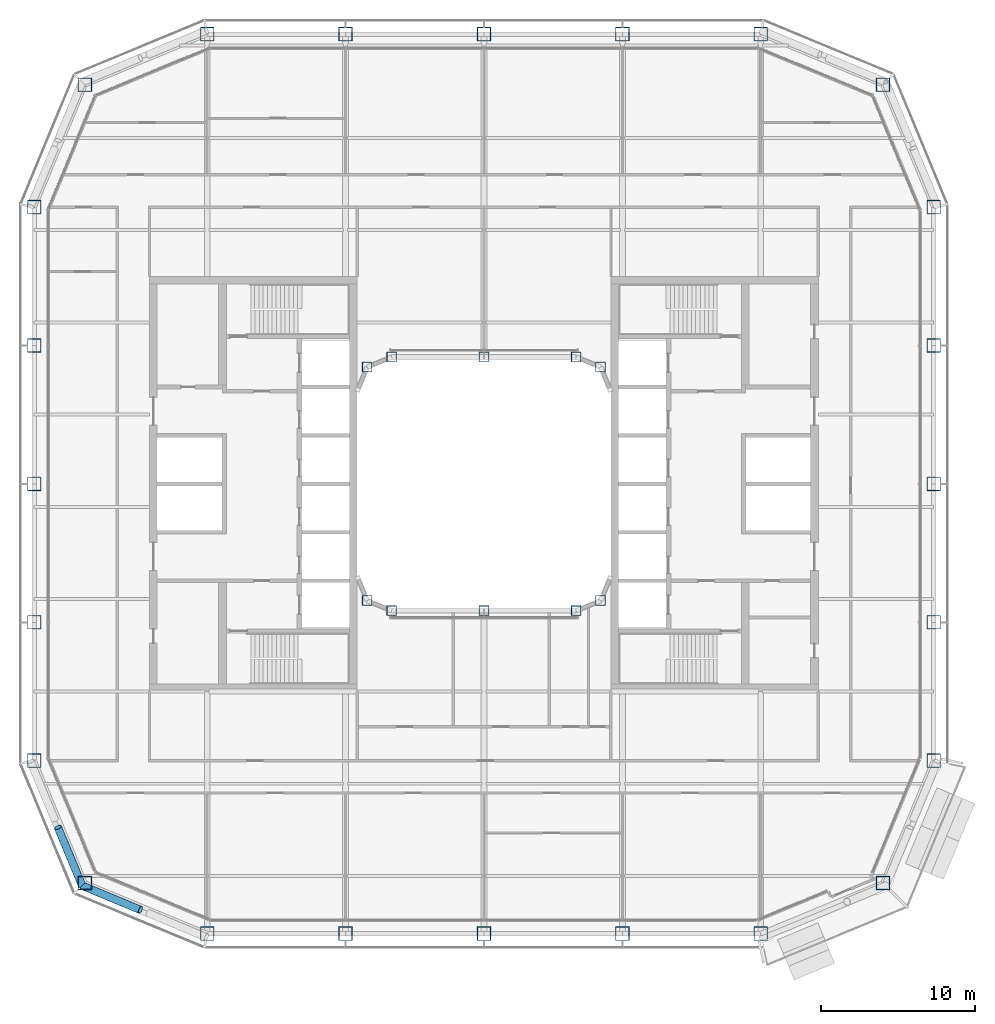
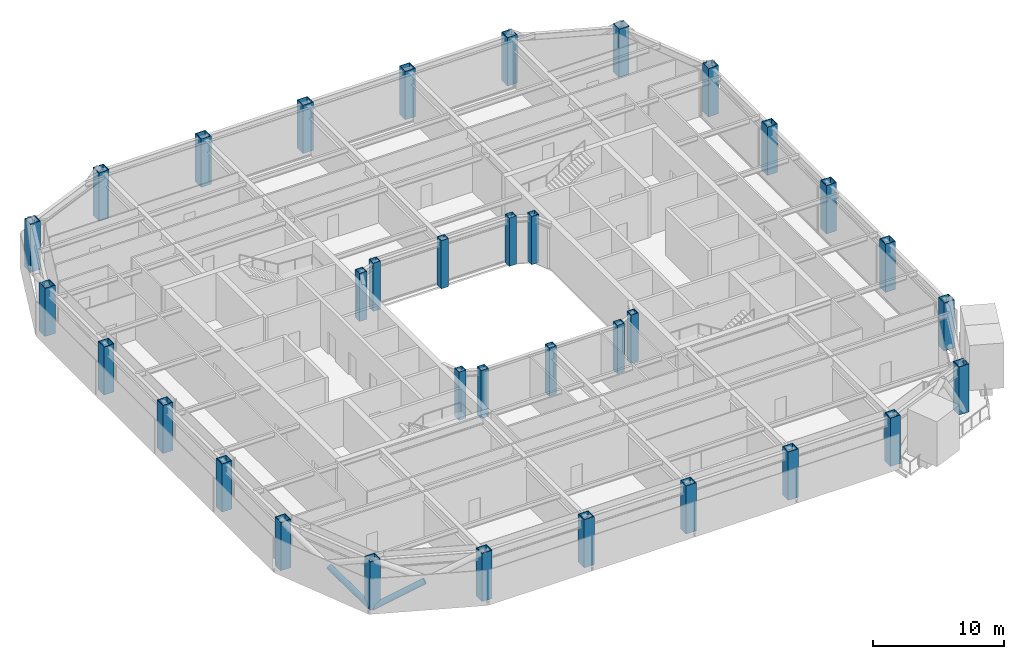
# One storey, part 1 of 23: 34 columns, 2 members.
"""IFC4 building model written with IfcOpenShell, lengths in metres."""

from ifc_helpers import new_model, si_unit, direction, frame, origin, origin_2d, place, context, subcontext, project, spatial, hollow_rectangle, hollow_circle, extrude, material, material_profile, profile_set, type_object, element, save


model = new_model("IFC4")

# Units and contexts
model_context = context("Model", 3, precision=1e-05, world=origin(), true_north=direction((0.0, 1.0)))
body_context = subcontext(model_context, "Body", "Model", "MODEL_VIEW")
ifc_project = project(units=[si_unit("LENGTHUNIT", "METRE"), si_unit("AREAUNIT", "SQUARE_METRE"), si_unit("VOLUMEUNIT", "CUBIC_METRE"), si_unit("PLANEANGLEUNIT", "RADIAN"), si_unit("MASSUNIT", "GRAM", prefix="KILO")], contexts=[model_context])

# Site, building, storey
site_placement = place(None, origin())
site = spatial("IfcSite", under=ifc_project, at=site_placement, CompositionType="ELEMENT")
building_placement = place(site_placement, origin())
building = spatial("IfcBuilding", under=site, at=building_placement, Name="Siwar Civic Tower", CompositionType="ELEMENT")
storey_placement = place(building_placement, frame((0.0, 0.0, 163.199951171875)))
storey = spatial("IfcBuildingStorey", under=building, at=storey_placement, Name="L35", CompositionType="ELEMENT", Elevation=163.199951171875)

# Columns
ifc_material_1 = material(Name="Steel S355", Category="steel")
ifc_material_profile_1 = material_profile(ifc_material_1, hollow_rectangle(XDim=0.89990234375, YDim=0.89990234375, WallThickness=0.050048828125, at=origin_2d()), Name="BOX900x900x50")
ifc_profile_set_1 = profile_set([ifc_material_profile_1], Name="Steel S355")
column_type_1 = type_object("IfcColumnType", Name="STR-COL-BOX900x900x50", PredefinedType="COLUMN", material=ifc_profile_set_1)
for number, where, z_axis, x_axis, name in (
    (1, (-18.0, -29.25, 0.0), (0.0, 0.0, 1.0), (1.0, 0.0, 0.0), "L35/col/S-0"),
    (2, (-9.0, -29.25, 0.0), (0.0, 0.0, 1.0), (1.0, 0.0, 0.0), "L35/col/S-1"),
    (3, (0.0, -29.25, 0.0), (0.0, 0.0, 1.0), (1.0, 0.0, 0.0), "L35/col/S-2"),
    (4, (9.0, -29.25, 0.0), (0.0, 0.0, 1.0), (1.0, 0.0, 0.0), "L35/col/S-3"),
    (5, (18.0, -29.25, 0.0), (0.0, 0.0, 1.0), (1.0, 0.0, 0.0), "L35/col/SE1-0"),
    (6, (25.954833984375, -25.954833984375, 0.0), (0.0, 0.0, 1.0), (1.0, 0.0, 0.0), "L35/col/SE2-0"),
    (7, (29.25, -18.0, 0.0), (0.0, 0.0, 1.0), (1.0, 0.0, 0.0), "L35/col/E-0"),
    (8, (29.25, -9.0, 0.0), (0.0, 0.0, 1.0), (1.0, 0.0, 0.0), "L35/col/E-1"),
    (9, (29.25, 0.0, 0.0), (0.0, 0.0, 1.0), (1.0, 0.0, 0.0), "L35/col/E-2"),
    (10, (29.25, 9.0, 0.0), (0.0, 0.0, 1.0), (1.0, 0.0, 0.0), "L35/col/E-3"),
    (11, (29.25, 18.0, 0.0), (0.0, 0.0, 1.0), (1.0, 0.0, 0.0), "L35/col/NE1-0"),
    (12, (25.954833984375, 25.954833984375, 0.0), (0.0, 0.0, 1.0), (1.0, 0.0, 0.0), "L35/col/NE2-0"),
    (13, (18.0, 29.25, 0.0), (0.0, 0.0, 1.0), (1.0, 0.0, 0.0), "L35/col/N-0"),
    (14, (9.0, 29.25, 0.0), (0.0, 0.0, 1.0), (1.0, 0.0, 0.0), "L35/col/N-1"),
    (15, (0.0, 29.25, 0.0), (0.0, 0.0, 1.0), (1.0, 0.0, 0.0), "L35/col/N-2"),
    (16, (-9.0, 29.25, 0.0), (0.0, 0.0, 1.0), (1.0, 0.0, 0.0), "L35/col/N-3"),
    (17, (-18.0, 29.25, 0.0), (0.0, 0.0, 1.0), (1.0, 0.0, 0.0), "L35/col/NW1-0"),
    (18, (-25.954833984375, 25.954833984375, 0.0), (0.0, 0.0, 1.0), (1.0, 0.0, 0.0), "L35/col/NW2-0"),
    (19, (-29.25, 18.0, 0.0), (0.0, 0.0, 1.0), (1.0, 0.0, 0.0), "L35/col/W-0"),
    (20, (-29.25, 9.0, 0.0), (0.0, 0.0, 1.0), (1.0, 0.0, 0.0), "L35/col/W-1"),
    (21, (-29.25, 0.0, 0.0), (0.0, 0.0, 1.0), (1.0, 0.0, 0.0), "L35/col/W-2"),
    (22, (-29.25, -9.0, 0.0), (0.0, 0.0, 1.0), (1.0, 0.0, 0.0), "L35/col/W-3"),
    (23, (-29.25, -18.0, 0.0), (0.0, 0.0, 1.0), (1.0, 0.0, 0.0), "L35/col/SW1-0"),
    (24, (-25.954833984375, -25.954833984375, 0.0), (0.0, 0.0, 1.0), (1.0, 0.0, 0.0), "L35/col/SW2-0"),
):
    element("IfcColumn", number, at=place(storey_placement, frame(where, z_axis=z_axis, x_axis=x_axis)), inside=storey, type_object=column_type_1, Name=name, PredefinedType="COLUMN", context=body_context, shape_type="SweptSolid", body=[
        extrude(hollow_rectangle(XDim=0.89990234375, YDim=0.89990234375, WallThickness=0.050048828125, at=origin_2d()), origin(), (0.0, 0.0, 1.0), 4.5),
    ])
ifc_material_2 = material(Name="Steel S355", Category="steel")
ifc_material_profile_2 = material_profile(ifc_material_2, hollow_rectangle(XDim=0.64990234375, YDim=0.64990234375, WallThickness=0.035888671875, at=origin_2d()), Name="BOX650x650x36")
ifc_profile_set_2 = profile_set([ifc_material_profile_2], Name="Steel S355")
column_type_2 = type_object("IfcColumnType", Name="STR-ICOL-BOX650x650x36", PredefinedType="COLUMN", material=ifc_profile_set_2)
for number, where, z_axis, x_axis, name in (
    (25, (-7.591064453125, -7.591064453125, 0.0), (0.0, 0.0, 1.0), (1.0, 0.0, 0.0), "L35/col/IS-0"),
    (26, (-6.0, -8.25, 0.0), (0.0, 0.0, 1.0), (1.0, 0.0, 0.0), "L35/col/IS-1"),
    (27, (0.0, -8.25, 0.0), (0.0, 0.0, 1.0), (1.0, 0.0, 0.0), "L35/col/IS-2"),
    (28, (6.0, -8.25, 0.0), (0.0, 0.0, 1.0), (1.0, 0.0, 0.0), "L35/col/IS-3"),
    (29, (7.591064453125, -7.591064453125, 0.0), (0.0, 0.0, 1.0), (1.0, 0.0, 0.0), "L35/col/IS-4"),
    (30, (-7.591064453125, 7.591064453125, 0.0), (0.0, 0.0, 1.0), (1.0, 0.0, 0.0), "L35/col/IN-0"),
    (31, (-6.0, 8.25, 0.0), (0.0, 0.0, 1.0), (1.0, 0.0, 0.0), "L35/col/IN-1"),
    (32, (0.0, 8.25, 0.0), (0.0, 0.0, 1.0), (1.0, 0.0, 0.0), "L35/col/IN-2"),
    (33, (6.0, 8.25, 0.0), (0.0, 0.0, 1.0), (1.0, 0.0, 0.0), "L35/col/IN-3"),
    (34, (7.591064453125, 7.591064453125, 0.0), (0.0, 0.0, 1.0), (1.0, 0.0, 0.0), "L35/col/IN-4"),
):
    element("IfcColumn", number, at=place(storey_placement, frame(where, z_axis=z_axis, x_axis=x_axis)), inside=storey, type_object=column_type_2, Name=name, PredefinedType="COLUMN", context=body_context, shape_type="SweptSolid", body=[
        extrude(hollow_rectangle(XDim=0.64990234375, YDim=0.64990234375, WallThickness=0.035888671875, at=origin_2d()), origin(), (0.0, 0.0, 1.0), 4.5),
    ])

# Members
ifc_material_3 = material(Name="Steel S355", Category="steel")
ifc_material_profile_3 = material_profile(ifc_material_3, hollow_circle(Radius=0.25390625, WallThickness=0.02490234375, at=origin_2d()), Name="CHS508x25")
ifc_profile_set_3 = profile_set([ifc_material_profile_3], Name="Steel S355")
member_type = type_object("IfcMemberType", Name="STR-BR-CHS508x25", PredefinedType="BRACE", material=ifc_profile_set_3)
for number, where, z_axis, x_axis, name in (
    (35, (-26.1318359375, -26.1318359375, 0.0), (0.821143275065, -0.341662474736, 0.457154760636), (0.384154943021, 0.923268638995, 0.0), "L35/brc/BSW1-14-0-2"),
    (36, (-26.1318359375, -26.1318359375, 0.0), (-0.341662474736, 0.821143275065, 0.457154760636), (-0.923268638995, -0.384154943021, 0.0), "L35/brc/BSW1-14-0-4"),
):
    element("IfcMember", number, at=place(storey_placement, frame(where, z_axis=z_axis, x_axis=x_axis)), inside=storey, type_object=member_type, Name=name, PredefinedType="BRACE", context=body_context, shape_type="SweptSolid", body=[
        extrude(hollow_circle(Radius=0.25390625, WallThickness=0.02490234375, at=origin_2d()), origin(), (0.0, 0.0, 1.0), 4.61474609375),
    ])

save(model, "model.ifc")
